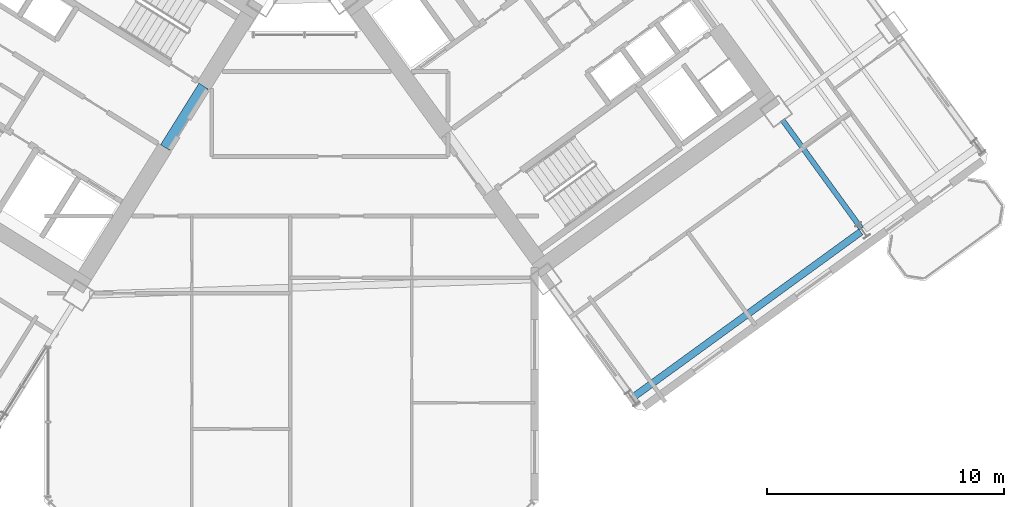
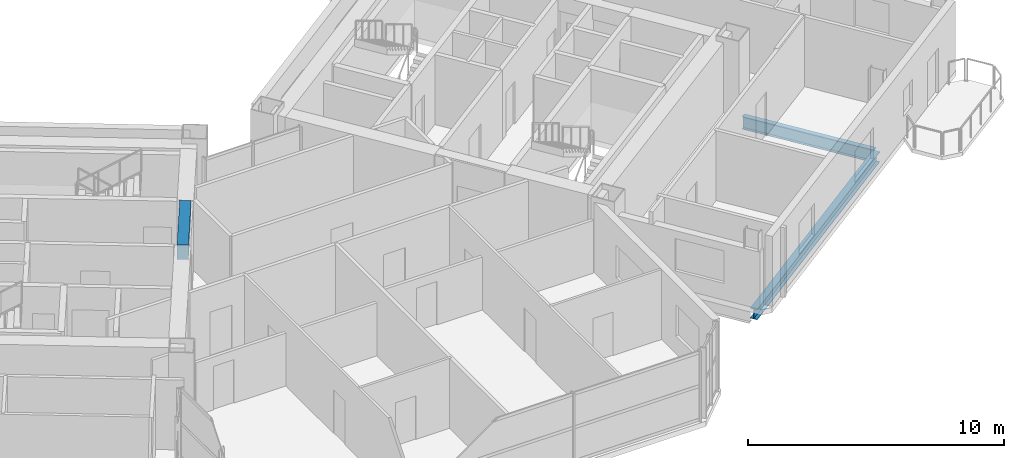
# One storey, part 10 of 24: 3 beams.
"""IFC4 building model written with IfcOpenShell, lengths in metres."""

from ifc_helpers import new_model, si_unit, direction, frame, origin, origin_2d, place, context, subcontext, project, spatial, rectangle, i_section, extrude, source, transform, mapped, material, material_profile, profile_set, type_object, element, save


model = new_model("IFC4")

# Units and contexts
model_context = context("Model", 3, precision=1e-05, world=origin(), true_north=direction((0.0, 1.0)))
body_context = subcontext(model_context, "Body", "Model", "MODEL_VIEW")
ifc_project = project(units=[si_unit("LENGTHUNIT", "METRE"), si_unit("AREAUNIT", "SQUARE_METRE"), si_unit("VOLUMEUNIT", "CUBIC_METRE"), si_unit("PLANEANGLEUNIT", "RADIAN"), si_unit("MASSUNIT", "GRAM", prefix="KILO")], contexts=[model_context])

# Site, building, storey
site_placement = place(None, origin())
site = spatial("IfcSite", under=ifc_project, at=site_placement, CompositionType="ELEMENT")
building_placement = place(site_placement, origin())
building = spatial("IfcBuilding", under=site, at=building_placement, Name="Tlacorven Tower", CompositionType="ELEMENT")
storey_placement = place(building_placement, frame((0.0, 0.0, 38.39990234375)))
storey = spatial("IfcBuildingStorey", under=building, at=storey_placement, Name="L09", CompositionType="ELEMENT", Elevation=38.39990234375)

# Beams
ifc_material_1 = material(Name="Concrete C60/75", Category="concrete")
ifc_material_profile_1 = material_profile(ifc_material_1, rectangle(XDim=0.449951171875, YDim=0.699951171875, at=origin_2d()), Name="RC 450X700")
ifc_profile_set_1 = profile_set([ifc_material_profile_1], Name="Concrete C60/75")
beam_type_1 = type_object("IfcBeamType", Name="BM-LNT-700", PredefinedType="LINTEL", material=ifc_profile_set_1)
shared_shape_1 = source(origin(), body_context, "Body", "SweptSolid", [
    extrude(rectangle(XDim=0.449951171875, YDim=0.699951171875, at=origin_2d()), origin(), (0.0, 0.0, 1.0), 3.050048828125),
])
beam_1_placement = place(storey_placement, frame((38.2998046875, 20.890625, 3.0), z_axis=(-0.529984549635, -0.848007297815, 0.0), x_axis=(0.848007297815, -0.529984549635, 0.0)))
element("IfcBeam", 1, at=beam_1_placement, inside=storey, type_object=beam_type_1, Name="L09 W core coupling lintel beam E1", PredefinedType="LINTEL", context=body_context, shape_type="MappedRepresentation", body=[
    mapped(shared_shape_1, transform((0.0, 0.0, 0.0), scale=1.0)),
])
ifc_material_2 = material(Name="Steel S355J2", Category="steel")
ifc_material_profile_2 = material_profile(ifc_material_2, i_section(OverallWidth=0.219970703125, OverallDepth=0.60009765625, WebThickness=0.011962890625, FlangeThickness=0.01904296875, at=origin_2d()), Name="IPE 600")
ifc_profile_set_2 = profile_set([ifc_material_profile_2], Name="Steel S355J2")
beam_type_2 = type_object("IfcBeamType", Name="BM-TWR-600", PredefinedType="BEAM", material=ifc_profile_set_2)
shared_shape_2 = source(origin(), body_context, "Body", "SweptSolid", [
    extrude(i_section(OverallWidth=0.219970703125, OverallDepth=0.60009765625, WebThickness=0.011962890625, FlangeThickness=0.01904296875, at=origin_2d()), origin(), (0.0, 0.0, 1.0), 5.64990234375),
])
beam_2_placement = place(storey_placement, frame((65.9990234375, 14.891845703125, -0.5498046875), z_axis=(-0.587755393186, 0.809038687444, 0.0), x_axis=(-0.809038687444, -0.587755393186, 0.0)))
element("IfcBeam", 2, at=beam_2_placement, inside=storey, type_object=beam_type_2, Name="L09 beam BM-L09-ET3-1", PredefinedType="BEAM", context=body_context, shape_type="MappedRepresentation", body=[
    mapped(shared_shape_2, transform((0.0, 0.0, 0.0), scale=1.0)),
])
ifc_material_profile_3 = material_profile(ifc_material_2, i_section(OverallWidth=0.300048828125, OverallDepth=0.489990234375, WebThickness=0.011962890625, FlangeThickness=0.02294921875, at=origin_2d()), Name="HEA 500")
ifc_profile_set_3 = profile_set([ifc_material_profile_3], Name="Steel S355J2")
beam_type_3 = type_object("IfcBeamType", Name="BM-SPN-500", PredefinedType="SPANDREL", material=ifc_profile_set_3)
shared_shape_3 = source(origin(), body_context, "Body", "SweptSolid", [
    extrude(i_section(OverallWidth=0.300048828125, OverallDepth=0.489990234375, WebThickness=0.011962890625, FlangeThickness=0.02294921875, at=origin_2d()), origin(), (0.0, 0.0, 1.0), 11.800048828125),
])
beam_3_placement = place(storey_placement, frame((56.4306640625, 7.816162109375, -0.494873046875), z_axis=(0.80900977213, 0.587795192732, 0.0), x_axis=(-0.587795192732, 0.80900977213, 0.0)))
element("IfcBeam", 3, at=beam_3_placement, inside=storey, type_object=beam_type_3, Name="L09 beam BM-L09-EL1-1", PredefinedType="SPANDREL", context=body_context, shape_type="MappedRepresentation", body=[
    mapped(shared_shape_3, transform((0.0, 0.0, 0.0), scale=1.0)),
])

save(model, "model.ifc")
